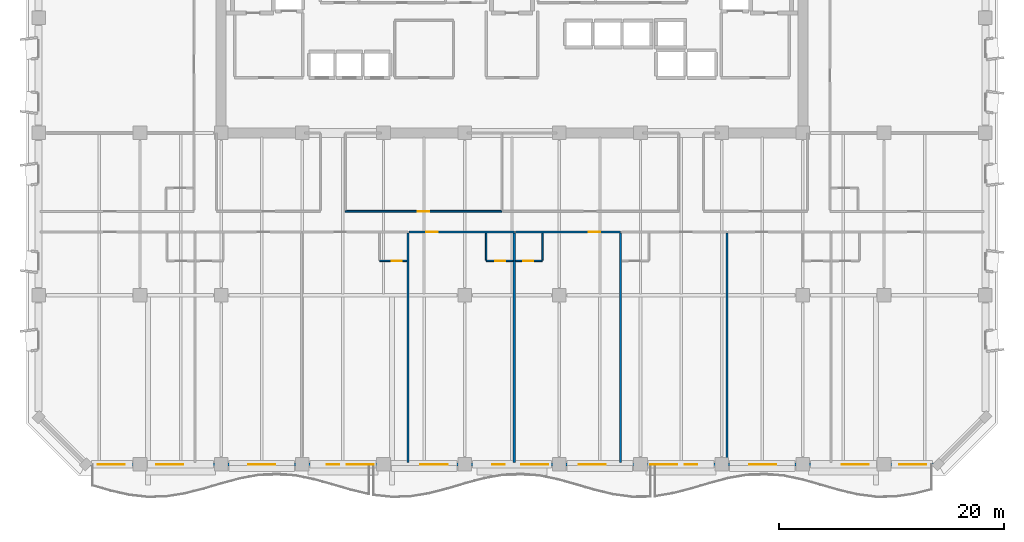
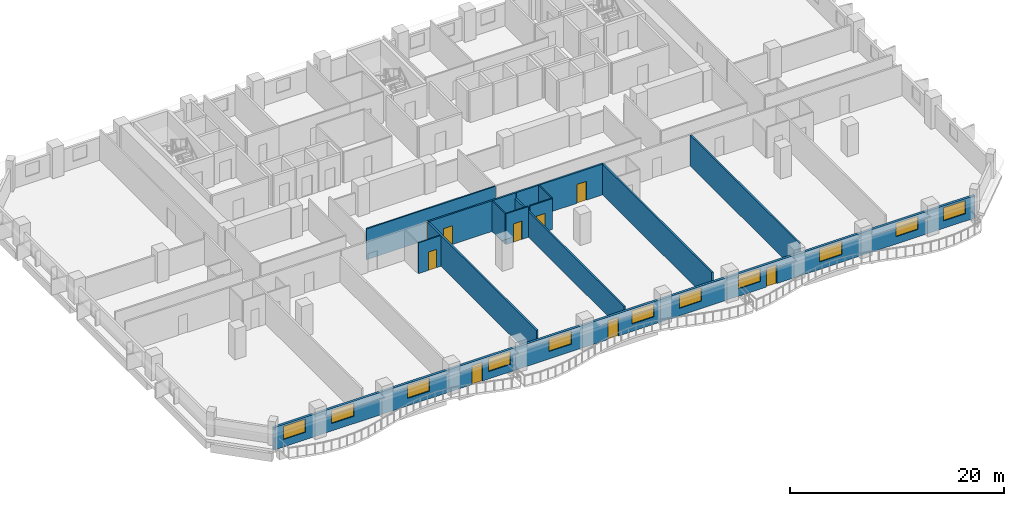
# One storey, part 5 of 14: 13 walls, 11 windows, 9 doors, 20 openings.
"""IFC4 building model written with IfcOpenShell, lengths in metres."""

from ifc_helpers import new_model, si_unit, direction, frame, frame_2d, origin, place, context, subcontext, project, spatial, rectangle, extrude, material, layer, layer_set, type_object, element, fill, save


model = new_model("IFC4")

# Units and contexts
model_context = context("Model", 3, precision=1e-05, world=origin(), true_north=direction((0.0, 1.0)))
body_context = subcontext(model_context, "Body", "Model", "MODEL_VIEW")
ifc_project = project(units=[si_unit("LENGTHUNIT", "METRE"), si_unit("AREAUNIT", "SQUARE_METRE"), si_unit("VOLUMEUNIT", "CUBIC_METRE"), si_unit("PLANEANGLEUNIT", "RADIAN"), si_unit("MASSUNIT", "GRAM", prefix="KILO")], contexts=[model_context])

# Site, building, storey
site_placement = place(None, origin())
site = spatial("IfcSite", under=ifc_project, at=site_placement, CompositionType="ELEMENT")
building_placement = place(site_placement, origin())
building = spatial("IfcBuilding", under=site, at=building_placement, Name="Kaelvorn Grand Hotel", CompositionType="ELEMENT")
storey_placement = place(building_placement, frame((0.0, 0.0, 85.550048828125)))
storey = spatial("IfcBuildingStorey", under=building, at=storey_placement, Name="L19", CompositionType="ELEMENT", Elevation=85.550048828125)

# Wall, openings, doors, windows
ifc_material_1 = material(Name="Concrete C40/50", Category="concrete")
ifc_layer_1 = layer(ifc_material_1, 0.260009765625)
ifc_layer_set_1 = layer_set([ifc_layer_1], Name="Concrete C40/50")
wall_type_1 = type_object("IfcWallType", Name="WL-EXT-260-C40", PredefinedType="SOLIDWALL", material=ifc_layer_set_1)
wall_1_placement = place(storey_placement, frame((4.199951171875, 0.0, 0.0), z_axis=(0.0, 0.0, 1.0), x_axis=(1.0, 0.0, 0.0)))
wall_1 = element("IfcWall", 1, at=wall_1_placement, inside=storey, type_object=wall_type_1, Name="L19 Exterior Architectural Concrete Wall 01", PredefinedType="SOLIDWALL", context=body_context, shape_type="SweptSolid", body=[
    extrude(rectangle(XDim=75.60009765625, YDim=0.260009765625, at=frame_2d((37.800048828125, 0.0))), origin(), (0.0, 0.0, 1.0), 2.56005859375),
])
opening_1_placement = place(wall_1_placement, frame((21.38330078125, 0.0, 0.0)))
opening_1 = element("IfcOpeningElement", 2, at=opening_1_placement, cuts=wall_1, Name="Opening DE2", PredefinedType="OPENING", context=body_context, shape_type="SweptSolid", body=[
    extrude(rectangle(XDim=1.10009765625, YDim=2.14990234375, at=frame_2d((0.550048828125, 1.074951171875))), frame((0.0, 0.14013671875, 0.0), z_axis=(0.0, -1.0, 0.0), x_axis=(1.0, 0.0, 0.0)), (0.0, 0.0, 1.0), 0.280029296875),
])
opening_2_placement = place(wall_1_placement, frame((36.050048828125, 0.0, 0.0)))
opening_2 = element("IfcOpeningElement", 3, at=opening_2_placement, cuts=wall_1, Name="Opening DE2", PredefinedType="OPENING", context=body_context, shape_type="SweptSolid", body=[
    extrude(rectangle(XDim=1.10009765625, YDim=2.14990234375, at=frame_2d((0.550048828125, 1.074951171875))), frame((0.0, 0.14013671875, 0.0), z_axis=(0.0, -1.0, 0.0), x_axis=(1.0, 0.0, 0.0)), (0.0, 0.0, 1.0), 0.280029296875),
])
opening_3_placement = place(wall_1_placement, frame((53.11669921875, 0.0, 0.0)))
opening_3 = element("IfcOpeningElement", 4, at=opening_3_placement, cuts=wall_1, Name="Opening DE2", PredefinedType="OPENING", context=body_context, shape_type="SweptSolid", body=[
    extrude(rectangle(XDim=1.10009765625, YDim=2.14990234375, at=frame_2d((0.550048828125, 1.074951171875))), frame((0.0, 0.14013671875, 0.0), z_axis=(0.0, -1.0, 0.0), x_axis=(1.0, 0.0, 0.0)), (0.0, 0.0, 1.0), 0.280029296875),
])
opening_4_placement = place(wall_1_placement, frame((1.034912109375, 0.0, 0.85009765625)))
opening_4 = element("IfcOpeningElement", 5, at=opening_4_placement, cuts=wall_1, Name="Opening W6", PredefinedType="OPENING", context=body_context, shape_type="SweptSolid", body=[
    extrude(rectangle(XDim=2.39990234375, YDim=1.5, at=frame_2d((1.199951171875, 0.75))), frame((0.0, 0.14013671875, 0.0), z_axis=(0.0, -1.0, 0.0), x_axis=(1.0, 0.0, 0.0)), (0.0, 0.0, 1.0), 0.280029296875),
])
opening_5_placement = place(wall_1_placement, frame((6.243896484375, 0.0, 0.85009765625)))
opening_5 = element("IfcOpeningElement", 6, at=opening_5_placement, cuts=wall_1, Name="Opening W6", PredefinedType="OPENING", context=body_context, shape_type="SweptSolid", body=[
    extrude(rectangle(XDim=2.39990234375, YDim=1.5, at=frame_2d((1.199951171875, 0.75))), frame((0.0, 0.14013671875, 0.0), z_axis=(0.0, -1.0, 0.0), x_axis=(1.0, 0.0, 0.0)), (0.0, 0.0, 1.0), 0.280029296875),
])
opening_6_placement = place(wall_1_placement, frame((14.39990234375, 0.0, 0.85009765625)))
opening_6 = element("IfcOpeningElement", 7, at=opening_6_placement, cuts=wall_1, Name="Opening W6", PredefinedType="OPENING", context=body_context, shape_type="SweptSolid", body=[
    extrude(rectangle(XDim=2.39990234375, YDim=1.5, at=frame_2d((1.199951171875, 0.75))), frame((0.0, 0.14013671875, 0.0), z_axis=(0.0, -1.0, 0.0), x_axis=(1.0, 0.0, 0.0)), (0.0, 0.0, 1.0), 0.280029296875),
])
opening_7_placement = place(wall_1_placement, frame((23.126708984375, 0.0, 0.85009765625)))
opening_7 = element("IfcOpeningElement", 8, at=opening_7_placement, cuts=wall_1, Name="Opening W6", PredefinedType="OPENING", context=body_context, shape_type="SweptSolid", body=[
    extrude(rectangle(XDim=2.39990234375, YDim=1.5, at=frame_2d((1.199951171875, 0.75))), frame((0.0, 0.14013671875, 0.0), z_axis=(0.0, -1.0, 0.0), x_axis=(1.0, 0.0, 0.0)), (0.0, 0.0, 1.0), 0.280029296875),
])
opening_8_placement = place(wall_1_placement, frame((29.681396484375, 0.0, 0.85009765625)))
opening_8 = element("IfcOpeningElement", 9, at=opening_8_placement, cuts=wall_1, Name="Opening W6", PredefinedType="OPENING", context=body_context, shape_type="SweptSolid", body=[
    extrude(rectangle(XDim=2.39990234375, YDim=1.5, at=frame_2d((1.199951171875, 0.75))), frame((0.0, 0.14013671875, 0.0), z_axis=(0.0, -1.0, 0.0), x_axis=(1.0, 0.0, 0.0)), (0.0, 0.0, 1.0), 0.280029296875),
])
opening_9_placement = place(wall_1_placement, frame((38.6005859375, 0.0, 0.85009765625)))
opening_9 = element("IfcOpeningElement", 10, at=opening_9_placement, cuts=wall_1, Name="Opening W6", PredefinedType="OPENING", context=body_context, shape_type="SweptSolid", body=[
    extrude(rectangle(XDim=2.39990234375, YDim=1.5, at=frame_2d((1.199951171875, 0.75))), frame((0.0, 0.14013671875, 0.0), z_axis=(0.0, -1.0, 0.0), x_axis=(1.0, 0.0, 0.0)), (0.0, 0.0, 1.0), 0.280029296875),
])
opening_10_placement = place(wall_1_placement, frame((43.719482421875, 0.0, 0.85009765625)))
opening_10 = element("IfcOpeningElement", 11, at=opening_10_placement, cuts=wall_1, Name="Opening W6", PredefinedType="OPENING", context=body_context, shape_type="SweptSolid", body=[
    extrude(rectangle(XDim=2.39990234375, YDim=1.5, at=frame_2d((1.199951171875, 0.75))), frame((0.0, 0.14013671875, 0.0), z_axis=(0.0, -1.0, 0.0), x_axis=(1.0, 0.0, 0.0)), (0.0, 0.0, 1.0), 0.280029296875),
])
opening_11_placement = place(wall_1_placement, frame((50.0732421875, 0.0, 0.85009765625)))
opening_11 = element("IfcOpeningElement", 12, at=opening_11_placement, cuts=wall_1, Name="Opening W6", PredefinedType="OPENING", context=body_context, shape_type="SweptSolid", body=[
    extrude(rectangle(XDim=2.39990234375, YDim=1.5, at=frame_2d((1.199951171875, 0.75))), frame((0.0, 0.14013671875, 0.0), z_axis=(0.0, -1.0, 0.0), x_axis=(1.0, 0.0, 0.0)), (0.0, 0.0, 1.0), 0.280029296875),
])
opening_12_placement = place(wall_1_placement, frame((58.837890625, 0.0, 0.85009765625)))
opening_12 = element("IfcOpeningElement", 13, at=opening_12_placement, cuts=wall_1, Name="Opening W6", PredefinedType="OPENING", context=body_context, shape_type="SweptSolid", body=[
    extrude(rectangle(XDim=2.39990234375, YDim=1.5, at=frame_2d((1.199951171875, 0.75))), frame((0.0, 0.14013671875, 0.0), z_axis=(0.0, -1.0, 0.0), x_axis=(1.0, 0.0, 0.0)), (0.0, 0.0, 1.0), 0.280029296875),
])
opening_13_placement = place(wall_1_placement, frame((67.056396484375, 0.0, 0.85009765625)))
opening_13 = element("IfcOpeningElement", 14, at=opening_13_placement, cuts=wall_1, Name="Opening W6", PredefinedType="OPENING", context=body_context, shape_type="SweptSolid", body=[
    extrude(rectangle(XDim=2.39990234375, YDim=1.5, at=frame_2d((1.199951171875, 0.75))), frame((0.0, 0.14013671875, 0.0), z_axis=(0.0, -1.0, 0.0), x_axis=(1.0, 0.0, 0.0)), (0.0, 0.0, 1.0), 0.280029296875),
])
opening_14_placement = place(wall_1_placement, frame((72.1650390625, 0.0, 0.85009765625)))
opening_14 = element("IfcOpeningElement", 15, at=opening_14_placement, cuts=wall_1, Name="Opening W6", PredefinedType="OPENING", context=body_context, shape_type="SweptSolid", body=[
    extrude(rectangle(XDim=2.39990234375, YDim=1.5, at=frame_2d((1.199951171875, 0.75))), frame((0.0, 0.14013671875, 0.0), z_axis=(0.0, -1.0, 0.0), x_axis=(1.0, 0.0, 0.0)), (0.0, 0.0, 1.0), 0.280029296875),
])
ifc_material_2 = material(Name="Anodised Aluminium", Category="aluminium")
door_type_1 = type_object("IfcDoorType", Name="DR-EXT-BALC-1100x2150", OperationType="NOTDEFINED", PredefinedType="DOOR", material=ifc_material_2)
door_1_placement = place(opening_1_placement, origin())
door_1 = element("IfcDoor", 16, at=door_1_placement, inside=storey, type_object=door_type_1, Name="L19 Scalloped Balcony Glazed Door DE2-1", OperationType="SINGLE_SWING_LEFT", OverallHeight=2.14990234375, OverallWidth=1.10009765625, PredefinedType="DOOR", context=body_context, shape_type="SweptSolid", body=[
    extrude(rectangle(XDim=1.10009765625, YDim=2.14990234375, at=frame_2d((0.550048828125, 1.074951171875))), frame((0.0, 0.02490234375, 0.0), z_axis=(0.0, -1.0, 0.0), x_axis=(1.0, 0.0, 0.0)), (0.0, 0.0, 1.0), 0.050048828125),
])
fill(opening_1, door_1)
door_2_placement = place(opening_2_placement, origin())
door_2 = element("IfcDoor", 17, at=door_2_placement, inside=storey, type_object=door_type_1, Name="L19 Scalloped Balcony Glazed Door DE2-2", OperationType="SINGLE_SWING_RIGHT", OverallHeight=2.14990234375, OverallWidth=1.10009765625, PredefinedType="DOOR", context=body_context, shape_type="SweptSolid", body=[
    extrude(rectangle(XDim=1.10009765625, YDim=2.14990234375, at=frame_2d((0.550048828125, 1.074951171875))), frame((0.0, 0.02490234375, 0.0), z_axis=(0.0, -1.0, 0.0), x_axis=(1.0, 0.0, 0.0)), (0.0, 0.0, 1.0), 0.050048828125),
])
fill(opening_2, door_2)
door_3_placement = place(opening_3_placement, origin())
door_3 = element("IfcDoor", 18, at=door_3_placement, inside=storey, type_object=door_type_1, Name="L19 Scalloped Balcony Glazed Door DE2-3", OperationType="SINGLE_SWING_LEFT", OverallHeight=2.14990234375, OverallWidth=1.10009765625, PredefinedType="DOOR", context=body_context, shape_type="SweptSolid", body=[
    extrude(rectangle(XDim=1.10009765625, YDim=2.14990234375, at=frame_2d((0.550048828125, 1.074951171875))), frame((0.0, 0.02490234375, 0.0), z_axis=(0.0, -1.0, 0.0), x_axis=(1.0, 0.0, 0.0)), (0.0, 0.0, 1.0), 0.050048828125),
])
fill(opening_3, door_3)
ifc_material_3 = material(Name="Laminated Low-E Glass", Category="glass")
window_type = type_object("IfcWindowType", Name="WIN-NTH-2400x1500", PartitioningType="SINGLE_PANEL", PredefinedType="WINDOW", material=ifc_material_3)
window_1_placement = place(opening_4_placement, origin())
window_1 = element("IfcWindow", 19, at=window_1_placement, inside=storey, type_object=window_type, Name="L19 South Guestroom Ribbon Window SR01", OverallHeight=1.5, OverallWidth=2.39990234375, PartitioningType="SINGLE_PANEL", PredefinedType="WINDOW", context=body_context, shape_type="SweptSolid", body=[
    extrude(rectangle(XDim=2.39990234375, YDim=1.5, at=frame_2d((1.199951171875, 0.75))), frame((0.0, 0.030029296875, 0.0), z_axis=(0.0, -1.0, 0.0), x_axis=(1.0, 0.0, 0.0)), (0.0, 0.0, 1.0), 0.06005859375),
])
fill(opening_4, window_1)
window_2_placement = place(opening_5_placement, origin())
window_2 = element("IfcWindow", 20, at=window_2_placement, inside=storey, type_object=window_type, Name="L19 South Guestroom Ribbon Window SR02", OverallHeight=1.5, OverallWidth=2.39990234375, PartitioningType="SINGLE_PANEL", PredefinedType="WINDOW", context=body_context, shape_type="SweptSolid", body=[
    extrude(rectangle(XDim=2.39990234375, YDim=1.5, at=frame_2d((1.199951171875, 0.75))), frame((0.0, 0.030029296875, 0.0), z_axis=(0.0, -1.0, 0.0), x_axis=(1.0, 0.0, 0.0)), (0.0, 0.0, 1.0), 0.06005859375),
])
fill(opening_5, window_2)
window_3_placement = place(opening_6_placement, origin())
window_3 = element("IfcWindow", 21, at=window_3_placement, inside=storey, type_object=window_type, Name="L19 South Guestroom Ribbon Window SR03", OverallHeight=1.5, OverallWidth=2.39990234375, PartitioningType="SINGLE_PANEL", PredefinedType="WINDOW", context=body_context, shape_type="SweptSolid", body=[
    extrude(rectangle(XDim=2.39990234375, YDim=1.5, at=frame_2d((1.199951171875, 0.75))), frame((0.0, 0.030029296875, 0.0), z_axis=(0.0, -1.0, 0.0), x_axis=(1.0, 0.0, 0.0)), (0.0, 0.0, 1.0), 0.06005859375),
])
fill(opening_6, window_3)
window_4_placement = place(opening_7_placement, origin())
window_4 = element("IfcWindow", 22, at=window_4_placement, inside=storey, type_object=window_type, Name="L19 South Guestroom Ribbon Window SR04", OverallHeight=1.5, OverallWidth=2.39990234375, PartitioningType="SINGLE_PANEL", PredefinedType="WINDOW", context=body_context, shape_type="SweptSolid", body=[
    extrude(rectangle(XDim=2.39990234375, YDim=1.5, at=frame_2d((1.199951171875, 0.75))), frame((0.0, 0.030029296875, 0.0), z_axis=(0.0, -1.0, 0.0), x_axis=(1.0, 0.0, 0.0)), (0.0, 0.0, 1.0), 0.06005859375),
])
fill(opening_7, window_4)
window_5_placement = place(opening_8_placement, origin())
window_5 = element("IfcWindow", 23, at=window_5_placement, inside=storey, type_object=window_type, Name="L19 South Guestroom Ribbon Window SR05", OverallHeight=1.5, OverallWidth=2.39990234375, PartitioningType="SINGLE_PANEL", PredefinedType="WINDOW", context=body_context, shape_type="SweptSolid", body=[
    extrude(rectangle(XDim=2.39990234375, YDim=1.5, at=frame_2d((1.199951171875, 0.75))), frame((0.0, 0.030029296875, 0.0), z_axis=(0.0, -1.0, 0.0), x_axis=(1.0, 0.0, 0.0)), (0.0, 0.0, 1.0), 0.06005859375),
])
fill(opening_8, window_5)
window_6_placement = place(opening_9_placement, origin())
window_6 = element("IfcWindow", 24, at=window_6_placement, inside=storey, type_object=window_type, Name="L19 South Guestroom Ribbon Window SR06", OverallHeight=1.5, OverallWidth=2.39990234375, PartitioningType="SINGLE_PANEL", PredefinedType="WINDOW", context=body_context, shape_type="SweptSolid", body=[
    extrude(rectangle(XDim=2.39990234375, YDim=1.5, at=frame_2d((1.199951171875, 0.75))), frame((0.0, 0.030029296875, 0.0), z_axis=(0.0, -1.0, 0.0), x_axis=(1.0, 0.0, 0.0)), (0.0, 0.0, 1.0), 0.06005859375),
])
fill(opening_9, window_6)
window_7_placement = place(opening_10_placement, origin())
window_7 = element("IfcWindow", 25, at=window_7_placement, inside=storey, type_object=window_type, Name="L19 South Guestroom Ribbon Window SR07", OverallHeight=1.5, OverallWidth=2.39990234375, PartitioningType="SINGLE_PANEL", PredefinedType="WINDOW", context=body_context, shape_type="SweptSolid", body=[
    extrude(rectangle(XDim=2.39990234375, YDim=1.5, at=frame_2d((1.199951171875, 0.75))), frame((0.0, 0.030029296875, 0.0), z_axis=(0.0, -1.0, 0.0), x_axis=(1.0, 0.0, 0.0)), (0.0, 0.0, 1.0), 0.06005859375),
])
fill(opening_10, window_7)
window_8_placement = place(opening_11_placement, origin())
window_8 = element("IfcWindow", 26, at=window_8_placement, inside=storey, type_object=window_type, Name="L19 South Guestroom Ribbon Window SR08", OverallHeight=1.5, OverallWidth=2.39990234375, PartitioningType="SINGLE_PANEL", PredefinedType="WINDOW", context=body_context, shape_type="SweptSolid", body=[
    extrude(rectangle(XDim=2.39990234375, YDim=1.5, at=frame_2d((1.199951171875, 0.75))), frame((0.0, 0.030029296875, 0.0), z_axis=(0.0, -1.0, 0.0), x_axis=(1.0, 0.0, 0.0)), (0.0, 0.0, 1.0), 0.06005859375),
])
fill(opening_11, window_8)
window_9_placement = place(opening_12_placement, origin())
window_9 = element("IfcWindow", 27, at=window_9_placement, inside=storey, type_object=window_type, Name="L19 South Guestroom Ribbon Window SR09", OverallHeight=1.5, OverallWidth=2.39990234375, PartitioningType="SINGLE_PANEL", PredefinedType="WINDOW", context=body_context, shape_type="SweptSolid", body=[
    extrude(rectangle(XDim=2.39990234375, YDim=1.5, at=frame_2d((1.199951171875, 0.75))), frame((0.0, 0.030029296875, 0.0), z_axis=(0.0, -1.0, 0.0), x_axis=(1.0, 0.0, 0.0)), (0.0, 0.0, 1.0), 0.06005859375),
])
fill(opening_12, window_9)
window_10_placement = place(opening_13_placement, origin())
window_10 = element("IfcWindow", 28, at=window_10_placement, inside=storey, type_object=window_type, Name="L19 South Guestroom Ribbon Window SR10", OverallHeight=1.5, OverallWidth=2.39990234375, PartitioningType="SINGLE_PANEL", PredefinedType="WINDOW", context=body_context, shape_type="SweptSolid", body=[
    extrude(rectangle(XDim=2.39990234375, YDim=1.5, at=frame_2d((1.199951171875, 0.75))), frame((0.0, 0.030029296875, 0.0), z_axis=(0.0, -1.0, 0.0), x_axis=(1.0, 0.0, 0.0)), (0.0, 0.0, 1.0), 0.06005859375),
])
fill(opening_13, window_10)
window_11_placement = place(opening_14_placement, origin())
window_11 = element("IfcWindow", 29, at=window_11_placement, inside=storey, type_object=window_type, Name="L19 South Guestroom Ribbon Window SR11", OverallHeight=1.5, OverallWidth=2.39990234375, PartitioningType="SINGLE_PANEL", PredefinedType="WINDOW", context=body_context, shape_type="SweptSolid", body=[
    extrude(rectangle(XDim=2.39990234375, YDim=1.5, at=frame_2d((1.199951171875, 0.75))), frame((0.0, 0.030029296875, 0.0), z_axis=(0.0, -1.0, 0.0), x_axis=(1.0, 0.0, 0.0)), (0.0, 0.0, 1.0), 0.06005859375),
])
fill(opening_14, window_11)

# Wall, opening, door
ifc_material_4 = material(Name="Moisture-Resistant Tile & Stud Board")
ifc_layer_2 = layer(ifc_material_4, 0.125)
ifc_layer_set_2 = layer_set([ifc_layer_2], Name="Moisture-Resistant Tile & Stud Board")
wall_type_2 = type_object("IfcWallType", Name="WL-PART-125-WET", PredefinedType="PARTITIONING", material=ifc_layer_set_2)
wall_2_placement = place(storey_placement, frame((30.26318359375, 18.050048828125, 0.0), z_axis=(0.0, 0.0, 1.0), x_axis=(1.0, 0.0, 0.0)))
wall_2 = element("IfcWall", 30, at=wall_2_placement, inside=storey, type_object=wall_type_2, Name="L19 En-suite Bathroom L19-03 S Partition", PredefinedType="PARTITIONING", context=body_context, shape_type="SweptSolid", body=[
    extrude(rectangle(XDim=2.405029296875, YDim=0.125, at=frame_2d((1.20263671875, 0.0))), origin(), (0.0, 0.0, 1.0), 3.510009765625),
])
opening_15_placement = place(wall_2_placement, frame((1.050048828125, 0.0, 0.0)))
opening_15 = element("IfcOpeningElement", 31, at=opening_15_placement, cuts=wall_2, Name="Opening DI4", PredefinedType="OPENING", context=body_context, shape_type="SweptSolid", body=[
    extrude(rectangle(XDim=0.89990234375, YDim=2.10009765625, at=frame_2d((0.449951171875, 1.050048828125))), frame((0.0, 0.072509765625, 0.0), z_axis=(0.0, -1.0, 0.0), x_axis=(1.0, 0.0, 0.0)), (0.0, 0.0, 1.0), 0.14501953125),
])
ifc_material_5 = material(Name="Timber Veneer Leaf", Category="wood")
door_type_2 = type_object("IfcDoorType", Name="DR-INT-BATH-900x2100", OperationType="NOTDEFINED", PredefinedType="DOOR", material=ifc_material_5)
door_4_placement = place(opening_15_placement, origin())
door_4 = element("IfcDoor", 32, at=door_4_placement, inside=storey, type_object=door_type_2, Name="L19 En-suite Bathroom L19-03 Door", OperationType="SINGLE_SWING_LEFT", OverallHeight=2.10009765625, OverallWidth=0.89990234375, PredefinedType="DOOR", context=body_context, shape_type="SweptSolid", body=[
    extrude(rectangle(XDim=0.89990234375, YDim=2.10009765625, at=frame_2d((0.449951171875, 1.050048828125))), frame((0.0, 0.02490234375, 0.0), z_axis=(0.0, -1.0, 0.0), x_axis=(1.0, 0.0, 0.0)), (0.0, 0.0, 1.0), 0.050048828125),
])
fill(opening_15, door_4)

wall_3_placement = place(storey_placement, frame((39.70068359375, 18.050048828125, 0.0), z_axis=(0.0, 0.0, 1.0), x_axis=(1.0, 0.0, 0.0)))
wall_3 = element("IfcWall", 33, at=wall_3_placement, inside=storey, type_object=wall_type_2, Name="L19 En-suite Bathroom L19-04 S Partition", PredefinedType="PARTITIONING", context=body_context, shape_type="SweptSolid", body=[
    extrude(rectangle(XDim=2.405029296875, YDim=0.125, at=frame_2d((1.20263671875, 0.0))), origin(), (0.0, 0.0, 1.0), 3.510009765625),
])
opening_16_placement = place(wall_3_placement, frame((0.800048828125, 0.0, 0.0)))
opening_16 = element("IfcOpeningElement", 34, at=opening_16_placement, cuts=wall_3, Name="Opening DI4", PredefinedType="OPENING", context=body_context, shape_type="SweptSolid", body=[
    extrude(rectangle(XDim=0.89990234375, YDim=2.10009765625, at=frame_2d((0.449951171875, 1.050048828125))), frame((0.0, 0.072509765625, 0.0), z_axis=(0.0, -1.0, 0.0), x_axis=(1.0, 0.0, 0.0)), (0.0, 0.0, 1.0), 0.14501953125),
])
door_5_placement = place(opening_16_placement, origin())
door_5 = element("IfcDoor", 35, at=door_5_placement, inside=storey, type_object=door_type_2, Name="L19 En-suite Bathroom L19-04 Door", OperationType="SINGLE_SWING_LEFT", OverallHeight=2.10009765625, OverallWidth=0.89990234375, PredefinedType="DOOR", context=body_context, shape_type="SweptSolid", body=[
    extrude(rectangle(XDim=0.89990234375, YDim=2.10009765625, at=frame_2d((0.449951171875, 1.050048828125))), frame((0.0, 0.02490234375, 0.0), z_axis=(0.0, -1.0, 0.0), x_axis=(1.0, 0.0, 0.0)), (0.0, 0.0, 1.0), 0.050048828125),
])
fill(opening_16, door_5)

# Wall
wall_4_placement = place(storey_placement, frame((39.70068359375, 18.117431640625, 0.0), z_axis=(0.0, 0.0, 1.0), x_axis=(0.0, 1.0, 0.0)))
element("IfcWall", 36, at=wall_4_placement, inside=storey, type_object=wall_type_2, Name="L19 En-suite Bathroom L19-04 W Partition", PredefinedType="PARTITIONING", context=body_context, shape_type="SweptSolid", body=[
    extrude(rectangle(XDim=2.387451171875, YDim=0.125, at=frame_2d((1.19384765625, 0.0))), origin(), (0.0, 0.0, 1.0), 3.510009765625),
])

# Wall, opening, door
wall_5_placement = place(storey_placement, frame((42.2958984375, 18.050048828125, 0.0), z_axis=(0.0, 0.0, 1.0), x_axis=(1.0, 0.0, 0.0)))
wall_5 = element("IfcWall", 37, at=wall_5_placement, inside=storey, type_object=wall_type_2, Name="L19 En-suite Bathroom L19-05 S Partition", PredefinedType="PARTITIONING", context=body_context, shape_type="SweptSolid", body=[
    extrude(rectangle(XDim=2.40478515625, YDim=0.125, at=frame_2d((1.202392578125, 0.0))), origin(), (0.0, 0.0, 1.0), 3.510009765625),
])
opening_17_placement = place(wall_5_placement, frame((0.705078125, 0.0, 0.0)))
opening_17 = element("IfcOpeningElement", 38, at=opening_17_placement, cuts=wall_5, Name="Opening DI4", PredefinedType="OPENING", context=body_context, shape_type="SweptSolid", body=[
    extrude(rectangle(XDim=0.89990234375, YDim=2.10009765625, at=frame_2d((0.449951171875, 1.050048828125))), frame((0.0, 0.072509765625, 0.0), z_axis=(0.0, -1.0, 0.0), x_axis=(1.0, 0.0, 0.0)), (0.0, 0.0, 1.0), 0.14501953125),
])
door_6_placement = place(opening_17_placement, origin())
door_6 = element("IfcDoor", 39, at=door_6_placement, inside=storey, type_object=door_type_2, Name="L19 En-suite Bathroom L19-05 Door", OperationType="SINGLE_SWING_LEFT", OverallHeight=2.10009765625, OverallWidth=0.89990234375, PredefinedType="DOOR", context=body_context, shape_type="SweptSolid", body=[
    extrude(rectangle(XDim=0.89990234375, YDim=2.10009765625, at=frame_2d((0.449951171875, 1.050048828125))), frame((0.0, 0.02490234375, 0.0), z_axis=(0.0, -1.0, 0.0), x_axis=(1.0, 0.0, 0.0)), (0.0, 0.0, 1.0), 0.050048828125),
])
fill(opening_17, door_6)

# Wall
wall_6_placement = place(storey_placement, frame((44.70068359375, 18.117431640625, 0.0), z_axis=(0.0, 0.0, 1.0), x_axis=(0.0, 1.0, 0.0)))
element("IfcWall", 40, at=wall_6_placement, inside=storey, type_object=wall_type_2, Name="L19 En-suite Bathroom L19-05 E Partition", PredefinedType="PARTITIONING", context=body_context, shape_type="SweptSolid", body=[
    extrude(rectangle(XDim=2.387451171875, YDim=0.125, at=frame_2d((1.19384765625, 0.0))), origin(), (0.0, 0.0, 1.0), 3.510009765625),
])

# Wall, opening, door
ifc_material_6 = material(Name="Acoustic Gypsum & Stud Partition")
ifc_layer_3 = layer(ifc_material_6, 0.14990234375)
ifc_layer_set_3 = layer_set([ifc_layer_3], Name="Acoustic Gypsum & Stud Partition")
wall_type_3 = type_object("IfcWallType", Name="WL-PART-150-EI60", PredefinedType="PARTITIONING", material=ifc_layer_set_3)
wall_7_placement = place(storey_placement, frame((27.199951171875, 22.449951171875, 0.0), z_axis=(0.0, 0.0, 1.0), x_axis=(1.0, 0.0, 0.0)))
wall_7 = element("IfcWall", 41, at=wall_7_placement, inside=storey, type_object=wall_type_3, Name="L19 Pastry & Tea Kitchen S Partition", PredefinedType="PARTITIONING", context=body_context, shape_type="SweptSolid", body=[
    extrude(rectangle(XDim=13.900146484375, YDim=0.14990234375, at=frame_2d((6.9501953125, 0.0))), origin(), (0.0, 0.0, 1.0), 3.510009765625),
])
opening_18_placement = place(wall_7_placement, frame((6.449951171875, 0.0, 0.0)))
opening_18 = element("IfcOpeningElement", 42, at=opening_18_placement, cuts=wall_7, Name="Opening DI3", PredefinedType="OPENING", context=body_context, shape_type="SweptSolid", body=[
    extrude(rectangle(XDim=1.0, YDim=2.14990234375, at=frame_2d((0.5, 1.074951171875))), frame((0.0, 0.0849609375, 0.0), z_axis=(0.0, -1.0, 0.0), x_axis=(1.0, 0.0, 0.0)), (0.0, 0.0, 1.0), 0.169921875),
])
ifc_material_7 = material(Name="Timber Veneer Fire Leaf", Category="wood")
door_type_3 = type_object("IfcDoorType", Name="DR-INT-GUEST-1000x2150", OperationType="NOTDEFINED", PredefinedType="DOOR", material=ifc_material_7)
door_7_placement = place(opening_18_placement, origin())
door_7 = element("IfcDoor", 43, at=door_7_placement, inside=storey, type_object=door_type_3, Name="L19 Pastry & Tea Kitchen Door", OperationType="SINGLE_SWING_LEFT", OverallHeight=2.14990234375, OverallWidth=1.0, PredefinedType="DOOR", context=body_context, shape_type="SweptSolid", body=[
    extrude(rectangle(XDim=1.0, YDim=2.14990234375, at=frame_2d((0.5, 1.074951171875))), frame((0.0, 0.02490234375, 0.0), z_axis=(0.0, -1.0, 0.0), x_axis=(1.0, 0.0, 0.0)), (0.0, 0.0, 1.0), 0.050048828125),
])
fill(opening_18, door_7)

# Wall
ifc_layer_4 = layer(ifc_material_6, 0.179931640625)
ifc_layer_set_4 = layer_set([ifc_layer_4], Name="Acoustic Gypsum & Stud Partition")
wall_type_4 = type_object("IfcWallType", Name="WL-PART-180-EI60", PredefinedType="PARTITIONING", material=ifc_layer_set_4)
wall_8_placement = place(storey_placement, frame((32.76318359375, 0.14990234375, 0.0), z_axis=(0.0, 0.0, 1.0), x_axis=(0.0, 1.0, 0.0)))
element("IfcWall", 44, at=wall_8_placement, inside=storey, type_object=wall_type_4, Name="L19 Deluxe Panoramic Suite L19-03 E Partition", PredefinedType="PARTITIONING", context=body_context, shape_type="SweptSolid", body=[
    extrude(rectangle(XDim=20.35498046875, YDim=0.179931640625, at=frame_2d((10.177490234375, 0.0))), origin(), (0.0, 0.0, 1.0), 3.510009765625),
])

# Wall, opening, door
wall_9_placement = place(storey_placement, frame((32.858154296875, 20.60009765625, 0.0), z_axis=(0.0, 0.0, 1.0), x_axis=(1.0, 0.0, 0.0)))
wall_9 = element("IfcWall", 45, at=wall_9_placement, inside=storey, type_object=wall_type_4, Name="L19 Deluxe Panoramic Suite L19-04 N Partition", PredefinedType="PARTITIONING", context=body_context, shape_type="SweptSolid", body=[
    extrude(rectangle(XDim=9.342529296875, YDim=0.179931640625, at=frame_2d((4.67138671875, 0.0))), origin(), (0.0, 0.0, 1.0), 3.510009765625),
])
opening_19_placement = place(wall_9_placement, frame((1.533447265625, 0.0, 0.0)))
opening_19 = element("IfcOpeningElement", 46, at=opening_19_placement, cuts=wall_9, Name="Opening DI3", PredefinedType="OPENING", context=body_context, shape_type="SweptSolid", body=[
    extrude(rectangle(XDim=1.0, YDim=2.14990234375, at=frame_2d((0.5, 1.074951171875))), frame((0.0, 0.10009765625, 0.0), z_axis=(0.0, -1.0, 0.0), x_axis=(1.0, 0.0, 0.0)), (0.0, 0.0, 1.0), 0.199951171875),
])
door_8_placement = place(opening_19_placement, origin())
door_8 = element("IfcDoor", 47, at=door_8_placement, inside=storey, type_object=door_type_3, Name="L19 Deluxe Panoramic Suite L19-04 Door", OperationType="SINGLE_SWING_RIGHT", OverallHeight=2.14990234375, OverallWidth=1.0, PredefinedType="DOOR", context=body_context, shape_type="SweptSolid", body=[
    extrude(rectangle(XDim=1.0, YDim=2.14990234375, at=frame_2d((0.5, 1.074951171875))), frame((0.0, 0.02490234375, 0.0), z_axis=(0.0, -1.0, 0.0), x_axis=(1.0, 0.0, 0.0)), (0.0, 0.0, 1.0), 0.050048828125),
])
fill(opening_19, door_8)

# Wall
wall_10_placement = place(storey_placement, frame((42.20068359375, 0.14990234375, 0.0), z_axis=(0.0, 0.0, 1.0), x_axis=(0.0, 1.0, 0.0)))
element("IfcWall", 48, at=wall_10_placement, inside=storey, type_object=wall_type_4, Name="L19 Deluxe Panoramic Suite L19-04 E Partition", PredefinedType="PARTITIONING", context=body_context, shape_type="SweptSolid", body=[
    extrude(rectangle(XDim=20.35498046875, YDim=0.179931640625, at=frame_2d((10.177490234375, 0.0))), origin(), (0.0, 0.0, 1.0), 2.897705078125),
])

# Wall, opening, door
wall_11_placement = place(storey_placement, frame((42.2958984375, 20.60009765625, 0.0), z_axis=(0.0, 0.0, 1.0), x_axis=(1.0, 0.0, 0.0)))
wall_11 = element("IfcWall", 49, at=wall_11_placement, inside=storey, type_object=wall_type_4, Name="L19 Deluxe Panoramic Suite L19-05 N Partition", PredefinedType="PARTITIONING", context=body_context, shape_type="SweptSolid", body=[
    extrude(rectangle(XDim=9.342529296875, YDim=0.179931640625, at=frame_2d((4.67138671875, 0.0))), origin(), (0.0, 0.0, 1.0), 3.510009765625),
])
opening_20_placement = place(wall_11_placement, frame((6.513427734375, 0.0, 0.0)))
opening_20 = element("IfcOpeningElement", 50, at=opening_20_placement, cuts=wall_11, Name="Opening DI3", PredefinedType="OPENING", context=body_context, shape_type="SweptSolid", body=[
    extrude(rectangle(XDim=1.0, YDim=2.14990234375, at=frame_2d((0.5, 1.074951171875))), frame((0.0, 0.10009765625, 0.0), z_axis=(0.0, -1.0, 0.0), x_axis=(1.0, 0.0, 0.0)), (0.0, 0.0, 1.0), 0.199951171875),
])
door_9_placement = place(opening_20_placement, origin())
door_9 = element("IfcDoor", 51, at=door_9_placement, inside=storey, type_object=door_type_3, Name="L19 Deluxe Panoramic Suite L19-05 Door", OperationType="SINGLE_SWING_RIGHT", OverallHeight=2.14990234375, OverallWidth=1.0, PredefinedType="DOOR", context=body_context, shape_type="SweptSolid", body=[
    extrude(rectangle(XDim=1.0, YDim=2.14990234375, at=frame_2d((0.5, 1.074951171875))), frame((0.0, 0.02490234375, 0.0), z_axis=(0.0, -1.0, 0.0), x_axis=(1.0, 0.0, 0.0)), (0.0, 0.0, 1.0), 0.050048828125),
])
fill(opening_20, door_9)

# Walls
for number, where, z_axis, x_axis, name in (
    (52, (51.638427734375, 0.14990234375, 0.0), (0.0, 0.0, 1.0), (0.0, 1.0, 0.0), "L19 Deluxe Panoramic Suite L19-05 E Partition"),
    (53, (61.076171875, 0.14990234375, 0.0), (0.0, 0.0, 1.0), (0.0, 1.0, 0.0), "L19 Deluxe Panoramic Suite L19-06 E Partition"),
):
    element("IfcWall", number, at=place(storey_placement, frame(where, z_axis=z_axis, x_axis=x_axis)), inside=storey, type_object=wall_type_4, Name=name, PredefinedType="PARTITIONING", context=body_context, shape_type="SweptSolid", body=[
        extrude(rectangle(XDim=20.35498046875, YDim=0.179931640625, at=frame_2d((10.177490234375, 0.0))), origin(), (0.0, 0.0, 1.0), 3.510009765625),
    ])

save(model, "model.ifc")
